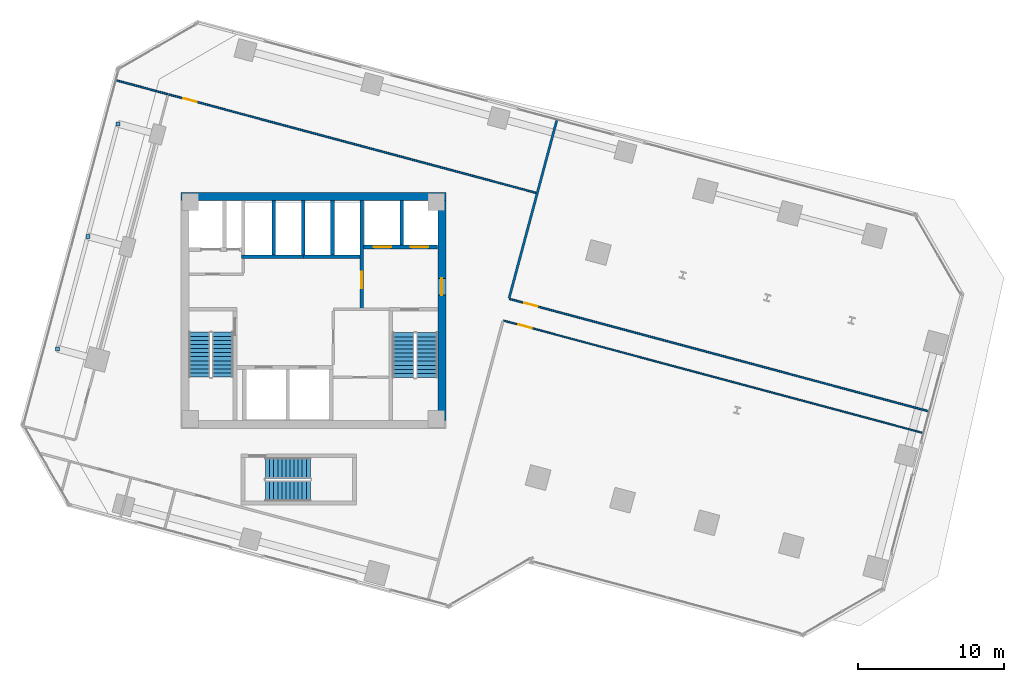
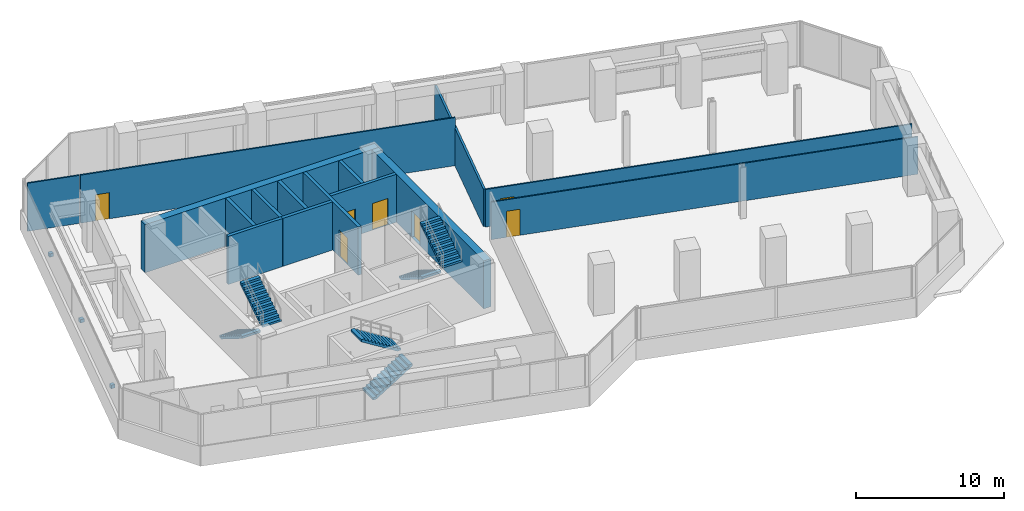
# One storey, part 21 of 26: 15 walls, 7 doors, 6 stair flights, 3 discrete accessories, 7 openings, 3 elements without a shape of their own.
"""IFC4 building model written with IfcOpenShell, lengths in metres."""

from ifc_helpers import new_model, si_unit, direction, frame, frame_2d, origin, origin_2d, place, context, subcontext, project, spatial, polyline, rectangle, outline, extrude, source, transform, mapped, material, layer, layer_set, type_object, element, fill, aggregate, save


model = new_model("IFC4")

# Units and contexts
model_context = context("Model", 3, precision=1e-05, world=origin(), true_north=direction((0.0, 1.0)))
body_context = subcontext(model_context, "Body", "Model", "MODEL_VIEW")
ifc_project = project(units=[si_unit("LENGTHUNIT", "METRE"), si_unit("AREAUNIT", "SQUARE_METRE"), si_unit("VOLUMEUNIT", "CUBIC_METRE"), si_unit("PLANEANGLEUNIT", "RADIAN"), si_unit("MASSUNIT", "GRAM", prefix="KILO")], contexts=[model_context])

# Site, building, storey
site_placement = place(None, origin())
site = spatial("IfcSite", under=ifc_project, at=site_placement, CompositionType="ELEMENT")
building_placement = place(site_placement, origin())
building = spatial("IfcBuilding", under=site, at=building_placement, Name="Torre Montelarca", CompositionType="ELEMENT")
storey_placement = place(building_placement, frame((0.0, 0.0, 100.0)))
storey = spatial("IfcBuildingStorey", under=building, at=storey_placement, Name="L22", CompositionType="ELEMENT", Elevation=100.0)

# Wall, opening, door
ifc_material_1 = material(Name="Concrete C40/50", Category="concrete")
ifc_layer_1 = layer(ifc_material_1, 0.25, Name="Concrete C40/50", Category="concrete")
ifc_layer_set_1 = layer_set([ifc_layer_1], Name="Concrete C40/50")
wall_type_1 = type_object("IfcWallType", Name="CW-SHAFT-250", PredefinedType="SHEAR", material=ifc_layer_set_1)
wall_1_placement = place(storey_placement, frame((21.320068359375, 32.1201171875, 0.0), z_axis=(0.0, 0.0, 1.0), x_axis=(0.0, 1.0, 0.0)))
wall_1 = element("IfcWall", 1, at=wall_1_placement, inside=storey, type_object=wall_type_1, Name="L22 Core Shear Wall SH-FFL-W", PredefinedType="SHEAR", context=body_context, shape_type="SweptSolid", body=[
    extrude(rectangle(XDim=7.419921875, YDim=0.25, at=frame_2d((3.7099609375, 0.0))), origin(), (0.0, 0.0, 1.0), 3.9599609375),
])
opening_1_placement = place(wall_1_placement, frame((1.39990234375, 0.0, 0.0)))
opening_1 = element("IfcOpeningElement", 2, at=opening_1_placement, cuts=wall_1, Name="Opening FD-LB1", PredefinedType="OPENING", context=body_context, shape_type="SweptSolid", body=[
    extrude(rectangle(XDim=1.14990234375, YDim=2.199951171875, at=frame_2d((0.574951171875, 1.10009765625))), frame((0.0, 0.135009765625, 0.0), z_axis=(0.0, -1.0, 0.0), x_axis=(1.0, 0.0, 0.0)), (0.0, 0.0, 1.0), 0.27001953125),
])
ifc_material_2 = material(Name="Acoustic timber-veneered fire door", Category="wood")
door_type_1 = type_object("IfcDoorType", Name="DR-LOBBY-115", OperationType="NOTDEFINED", PredefinedType="DOOR", material=ifc_material_2)
shared_shape_1 = source(origin(), body_context, "Body", "SweptSolid", [
    extrude(rectangle(XDim=1.14990234375, YDim=2.199951171875, at=frame_2d((0.574951171875, 1.10009765625))), frame((0.0, 0.02490234375, 0.0), z_axis=(0.0, -1.0, 0.0), x_axis=(1.0, 0.0, 0.0)), (0.0, 0.0, 1.0), 0.050048828125),
])
door_1_placement = place(opening_1_placement, origin())
door_1 = element("IfcDoor", 3, at=door_1_placement, inside=storey, type_object=door_type_1, Name="L22 Lift Lobby to Firefighting Lobby Smoke Door", OperationType="SINGLE_SWING_LEFT", OverallHeight=2.199951171875, OverallWidth=1.14990234375, PredefinedType="DOOR", context=body_context, shape_type="MappedRepresentation", body=[
    mapped(shared_shape_1, transform((0.0, 0.0, 0.0), scale=1.0)),
])
fill(opening_1, door_1)

# Wall, openings, doors
wall_2_placement = place(storey_placement, frame((21.449951171875, 36.35009765625, 0.0), z_axis=(0.0, 0.0, 1.0), x_axis=(1.0, 0.0, 0.0)))
wall_2 = element("IfcWall", 4, at=wall_2_placement, inside=storey, type_object=wall_type_1, Name="L22 Core Shear Wall SH-FF-S", PredefinedType="SHEAR", context=body_context, shape_type="SweptSolid", body=[
    extrude(rectangle(XDim=5.090087890625, YDim=0.25, at=frame_2d((2.544921875, 0.0))), origin(), (0.0, 0.0, 1.0), 3.9599609375),
])
opening_2_placement = place(wall_2_placement, frame((0.699951171875, 0.0, 0.0)))
opening_2 = element("IfcOpeningElement", 5, at=opening_2_placement, cuts=wall_2, Name="Opening LD-120", PredefinedType="OPENING", context=body_context, shape_type="SweptSolid", body=[
    extrude(rectangle(XDim=1.199951171875, YDim=2.199951171875, at=frame_2d((0.60009765625, 1.10009765625))), frame((0.0, 0.135009765625, 0.0), z_axis=(0.0, -1.0, 0.0), x_axis=(1.0, 0.0, 0.0)), (0.0, 0.0, 1.0), 0.27001953125),
])
opening_3_placement = place(wall_2_placement, frame((3.25, 0.0, 0.0)))
opening_3 = element("IfcOpeningElement", 6, at=opening_3_placement, cuts=wall_2, Name="Opening LD-120", PredefinedType="OPENING", context=body_context, shape_type="SweptSolid", body=[
    extrude(rectangle(XDim=1.199951171875, YDim=2.199951171875, at=frame_2d((0.60009765625, 1.10009765625))), frame((0.0, 0.135009765625, 0.0), z_axis=(0.0, -1.0, 0.0), x_axis=(1.0, 0.0, 0.0)), (0.0, 0.0, 1.0), 0.27001953125),
])
ifc_material_3 = material(Name="Brushed stainless steel AISI 316", Category="steel")
door_type_2 = type_object("IfcDoorType", Name="DR-LIFT-120", OperationType="SLIDING_TO_RIGHT", PredefinedType="DOOR", material=ifc_material_3)
shared_shape_2 = source(origin(), body_context, "Body", "SweptSolid", [
    extrude(rectangle(XDim=1.199951171875, YDim=2.199951171875, at=frame_2d((0.60009765625, 1.10009765625))), frame((0.0, 0.02490234375, 0.0), z_axis=(0.0, -1.0, 0.0), x_axis=(1.0, 0.0, 0.0)), (0.0, 0.0, 1.0), 0.050048828125),
])
door_2_placement = place(opening_2_placement, origin())
door_2 = element("IfcDoor", 7, at=door_2_placement, inside=storey, type_object=door_type_2, Name="L22 Lift Landing Sliding Door FF-1", OperationType="SLIDING_TO_LEFT", OverallHeight=2.199951171875, OverallWidth=1.199951171875, PredefinedType="DOOR", context=body_context, shape_type="MappedRepresentation", body=[
    mapped(shared_shape_2, transform((0.0, 0.0, 0.0), scale=1.0)),
])
fill(opening_2, door_2)
door_3_placement = place(opening_3_placement, origin())
door_3 = element("IfcDoor", 8, at=door_3_placement, inside=storey, type_object=door_type_2, Name="L22 Lift Landing Sliding Door FF-2", OperationType="SLIDING_TO_RIGHT", OverallHeight=2.199951171875, OverallWidth=1.199951171875, PredefinedType="DOOR", context=body_context, shape_type="MappedRepresentation", body=[
    mapped(shared_shape_2, transform((0.0, 0.0, 0.0), scale=1.0)),
])
fill(opening_3, door_3)

# Walls
wall_3_placement = place(storey_placement, frame((24.080078125, 36.47998046875, 0.0), z_axis=(0.0, 0.0, 1.0), x_axis=(0.0, 1.0, 0.0)))
element("IfcWall", 9, at=wall_3_placement, inside=storey, type_object=wall_type_1, Name="L22 Core Shear Wall SH-FF-M", PredefinedType="SHEAR", context=body_context, shape_type="SweptSolid", body=[
    extrude(rectangle(XDim=3.06005859375, YDim=0.25, at=frame_2d((1.530029296875, 0.0))), origin(), (0.0, 0.0, 1.0), 3.9599609375),
])
wall_4_placement = place(storey_placement, frame((13.06005859375, 35.679931640625, 0.0), z_axis=(0.0, 0.0, 1.0), x_axis=(1.0, 0.0, 0.0)))
element("IfcWall", 10, at=wall_4_placement, inside=storey, type_object=wall_type_1, Name="L22 Core Shear Wall SH-PLM-S", PredefinedType="SHEAR", context=body_context, shape_type="SweptSolid", body=[
    extrude(rectangle(XDim=4.25, YDim=0.25, at=frame_2d((2.125, 0.0))), origin(), (0.0, 0.0, 1.0), 3.9599609375),
])
wall_5_placement = place(storey_placement, frame((15.280029296875, 35.81005859375, 0.0), z_axis=(0.0, 0.0, 1.0), x_axis=(0.0, 1.0, 0.0)))
element("IfcWall", 11, at=wall_5_placement, inside=storey, type_object=wall_type_1, Name="L22 Core Shear Wall SH-PLM-M", PredefinedType="SHEAR", context=body_context, shape_type="SweptSolid", body=[
    extrude(rectangle(XDim=3.72998046875, YDim=0.25, at=frame_2d((1.864990234375, 0.0))), origin(), (0.0, 0.0, 1.0), 3.9599609375),
])
wall_6_placement = place(storey_placement, frame((17.320068359375, 35.679931640625, 0.0), z_axis=(0.0, 0.0, 1.0), x_axis=(1.0, 0.0, 0.0)))
element("IfcWall", 12, at=wall_6_placement, inside=storey, type_object=wall_type_1, Name="L22 Core Shear Wall SH-PLH-S", PredefinedType="SHEAR", context=body_context, shape_type="SweptSolid", body=[
    extrude(rectangle(XDim=3.869873046875, YDim=0.25, at=frame_2d((1.93505859375, 0.0))), origin(), (0.0, 0.0, 1.0), 3.9599609375),
])
for number, where, z_axis, x_axis, name in (
    (13, (17.320068359375, 35.81005859375, 0.0), (0.0, 0.0, 1.0), (0.0, 1.0, 0.0), "L22 Core Shear Wall SH-PLH-W"),
    (14, (19.320068359375, 35.81005859375, 0.0), (0.0, 0.0, 1.0), (0.0, 1.0, 0.0), "L22 Core Shear Wall SH-PLH-M"),
):
    element("IfcWall", number, at=place(storey_placement, frame(where, z_axis=z_axis, x_axis=x_axis)), inside=storey, type_object=wall_type_1, Name=name, PredefinedType="SHEAR", context=body_context, shape_type="SweptSolid", body=[
        extrude(rectangle(XDim=3.72998046875, YDim=0.25, at=frame_2d((1.864990234375, 0.0))), origin(), (0.0, 0.0, 1.0), 3.9599609375),
    ])

# Wall, opening, door
ifc_material_4 = material(Name="Concrete C70/85", Category="concrete")
ifc_layer_2 = layer(ifc_material_4, 0.550048828125, Name="Concrete C70/85", Category="concrete")
ifc_layer_set_2 = layer_set([ifc_layer_2], Name="Concrete C70/85")
wall_type_2 = type_object("IfcWallType", Name="CW-SHEAR-550", PredefinedType="SHEAR", material=ifc_layer_set_2)
wall_7_placement = place(storey_placement, frame((26.824951171875, 24.449951171875, 0.0), z_axis=(0.0, 0.0, 1.0), x_axis=(0.0, 1.0, 0.0)))
wall_7 = element("IfcWall", 15, at=wall_7_placement, inside=storey, type_object=wall_type_2, Name="L22 Core Shear Wall CW-E", PredefinedType="SHEAR", context=body_context, shape_type="SweptSolid", body=[
    extrude(rectangle(XDim=15.10009765625, YDim=0.550048828125, at=frame_2d((7.550048828125, 0.0))), origin(), (0.0, 0.0, 1.0), 3.9599609375),
])
opening_4_placement = place(wall_7_placement, frame((8.60009765625, 0.0, 0.0)))
opening_4 = element("IfcOpeningElement", 16, at=opening_4_placement, cuts=wall_7, Name="Opening FD-LB1", PredefinedType="OPENING", context=body_context, shape_type="SweptSolid", body=[
    extrude(rectangle(XDim=1.14990234375, YDim=2.199951171875, at=frame_2d((0.574951171875, 1.10009765625))), frame((0.0, 0.28515625, 0.0), z_axis=(0.0, -1.0, 0.0), x_axis=(1.0, 0.0, 0.0)), (0.0, 0.0, 1.0), 0.570068359375),
])
door_4_placement = place(opening_4_placement, origin())
door_4 = element("IfcDoor", 17, at=door_4_placement, inside=storey, type_object=door_type_1, Name="L22 Firefighting Lift Lobby Corridor Fire Door", OperationType="SINGLE_SWING_RIGHT", OverallHeight=2.199951171875, OverallWidth=1.14990234375, PredefinedType="DOOR", context=body_context, shape_type="MappedRepresentation", body=[
    mapped(shared_shape_1, transform((0.0, 0.0, 0.0), scale=1.0)),
])
fill(opening_4, door_4)

# Walls
wall_8_placement = place(storey_placement, frame((8.89990234375, 39.824951171875, 0.0), z_axis=(0.0, 0.0, 1.0), x_axis=(1.0, 0.0, 0.0)))
element("IfcWall", 18, at=wall_8_placement, inside=storey, type_object=wall_type_2, Name="L22 Core Shear Wall CW-N1", PredefinedType="SHEAR", context=body_context, shape_type="SweptSolid", body=[
    extrude(rectangle(XDim=18.2001953125, YDim=0.550048828125, at=frame_2d((9.10009765625, 0.0))), origin(), (0.0, 0.0, 1.0), 3.9599609375),
])
ifc_material_5 = material(Name="Gypsum plasterboard on steel stud", Category="steel")
ifc_layer_3 = layer(ifc_material_5, 0.159912109375, Name="Gypsum plasterboard on steel stud", Category="steel")
ifc_layer_set_3 = layer_set([ifc_layer_3], Name="Gypsum plasterboard on steel stud")
wall_type_3 = type_object("IfcWallType", Name="PW-FIRE-160", PredefinedType="PARTITIONING", material=ifc_layer_set_3)
wall_9_placement = place(storey_placement, frame((31.44482421875, 32.83447265625, 0.0), z_axis=(0.0, 0.0, 1.0), x_axis=(0.258816538161, 0.965926498018, 0.0)))
element("IfcWall", 19, at=wall_9_placement, inside=storey, type_object=wall_type_3, Name="L22 Interior Partition W-L22-ECN", PredefinedType="PARTITIONING", context=body_context, shape_type="SweptSolid", body=[
    extrude(rectangle(XDim=12.64013671875, YDim=0.159912109375, at=frame_2d((6.320068359375, 0.0))), origin(), (0.0, 0.0, 1.0), 3.094970703125),
])

# Wall, opening, door
ifc_material_6 = material(Name="Acoustic laminated glass partition", Category="glass")
ifc_layer_4 = layer(ifc_material_6, 0.10009765625, Name="Acoustic laminated glass partition", Category="glass")
ifc_layer_set_4 = layer_set([ifc_layer_4], Name="Acoustic laminated glass partition")
wall_type_4 = type_object("IfcWallType", Name="PW-GLAZ-100", PredefinedType="PARTITIONING", material=ifc_layer_set_4)
wall_10_placement = place(storey_placement, frame((31.074462890625, 31.298095703125, 0.0), z_axis=(0.0, 0.0, 1.0), x_axis=(0.96592643206, -0.258816784325, 0.0)))
wall_10 = element("IfcWall", 20, at=wall_10_placement, inside=storey, type_object=wall_type_4, Name="L22 Interior Partition W-L22-SE-N", PredefinedType="PARTITIONING", context=body_context, shape_type="SweptSolid", body=[
    extrude(rectangle(XDim=29.790283203125, YDim=0.10009765625, at=frame_2d((14.89501953125, 0.0))), origin(), (0.0, 0.0, 1.0), 3.094970703125),
])
opening_5_placement = place(wall_10_placement, frame((1.050048828125, 0.0, 0.0)))
opening_5 = element("IfcOpeningElement", 21, at=opening_5_placement, cuts=wall_10, Name="Opening ID-095", PredefinedType="OPENING", context=body_context, shape_type="SweptSolid", body=[
    extrude(rectangle(XDim=0.949951171875, YDim=2.14990234375, at=frame_2d((0.47509765625, 1.074951171875))), frame((0.0, 0.06005859375, 0.0), z_axis=(0.0, -1.0, 0.0), x_axis=(1.0, 0.0, 0.0)), (0.0, 0.0, 1.0), 0.1201171875),
])
ifc_material_7 = material(Name="Hardwood acoustic timber veneer", Category="wood")
door_type_3 = type_object("IfcDoorType", Name="DR-INT-095", OperationType="NOTDEFINED", PredefinedType="DOOR", material=ifc_material_7)
shared_shape_3 = source(origin(), body_context, "Body", "SweptSolid", [
    extrude(rectangle(XDim=0.949951171875, YDim=2.14990234375, at=frame_2d((0.47509765625, 1.074951171875))), frame((0.0, 0.02490234375, 0.0), z_axis=(0.0, -1.0, 0.0), x_axis=(1.0, 0.0, 0.0)), (0.0, 0.0, 1.0), 0.050048828125),
])
door_5_placement = place(opening_5_placement, origin())
door_5 = element("IfcDoor", 22, at=door_5_placement, inside=storey, type_object=door_type_3, Name="L22 Interior Door 10", OperationType="SINGLE_SWING_LEFT", OverallHeight=2.14990234375, OverallWidth=0.949951171875, PredefinedType="DOOR", context=body_context, shape_type="MappedRepresentation", body=[
    mapped(shared_shape_3, transform((0.0, 0.0, 0.0), scale=1.0)),
])
fill(opening_5, door_5)

ifc_layer_5 = layer(ifc_material_5, 0.114990234375, Name="Gypsum plasterboard on steel stud", Category="steel")
ifc_layer_set_5 = layer_set([ifc_layer_5], Name="Gypsum plasterboard on steel stud")
wall_type_5 = type_object("IfcWallType", Name="PW-PART-115", PredefinedType="PARTITIONING", material=ifc_layer_set_5)
wall_11_placement = place(storey_placement, frame((8.07080078125, 46.8310546875, 0.0), z_axis=(0.0, 0.0, 1.0), x_axis=(0.965925848141, -0.258818963551, 0.0)))
wall_11 = element("IfcWall", 23, at=wall_11_placement, inside=storey, type_object=wall_type_5, Name="L22 Interior Partition W-L22-NBOT", PredefinedType="PARTITIONING", context=body_context, shape_type="SweptSolid", body=[
    extrude(rectangle(XDim=26.16015625, YDim=0.114990234375, at=frame_2d((13.080078125, 0.0))), origin(), (0.0, 0.0, 1.0), 3.9599609375),
])
opening_6_placement = place(wall_11_placement, frame((1.050048828125, 0.0, 0.0)))
opening_6 = element("IfcOpeningElement", 24, at=opening_6_placement, cuts=wall_11, Name="Opening ID-095", PredefinedType="OPENING", context=body_context, shape_type="SweptSolid", body=[
    extrude(rectangle(XDim=0.949951171875, YDim=2.14990234375, at=frame_2d((0.47509765625, 1.074951171875))), frame((0.0, 0.0673828125, 0.0), z_axis=(0.0, -1.0, 0.0), x_axis=(1.0, 0.0, 0.0)), (0.0, 0.0, 1.0), 0.135009765625),
])
door_6_placement = place(opening_6_placement, origin())
door_6 = element("IfcDoor", 25, at=door_6_placement, inside=storey, type_object=door_type_3, Name="L22 Interior Door 07", OperationType="SINGLE_SWING_LEFT", OverallHeight=2.14990234375, OverallWidth=0.949951171875, PredefinedType="DOOR", context=body_context, shape_type="MappedRepresentation", body=[
    mapped(shared_shape_3, transform((0.0, 0.0, 0.0), scale=1.0)),
])
fill(opening_6, door_6)

# Wall
wall_12_placement = place(storey_placement, frame((4.4873046875, 47.791259765625, 0.0), z_axis=(0.0, 0.0, 1.0), x_axis=(0.965930639999, -0.258801079426, 0.0)))
element("IfcWall", 26, at=wall_12_placement, inside=storey, type_object=wall_type_5, Name="L22 Interior Partition W-L22-WWGN", PredefinedType="PARTITIONING", context=body_context, shape_type="SweptSolid", body=[
    extrude(rectangle(XDim=3.630126953125, YDim=0.114990234375, at=frame_2d((1.81494140625, 0.0))), origin(), (0.0, 0.0, 1.0), 3.9599609375),
])

# Wall, opening, door
wall_13_placement = place(storey_placement, frame((31.47314453125, 32.785400390625, 0.0), z_axis=(0.0, 0.0, 1.0), x_axis=(0.965927931901, -0.258811186722, 0.0)))
wall_13 = element("IfcWall", 27, at=wall_13_placement, inside=storey, type_object=wall_type_5, Name="L22 Interior Partition W-L22-NE-S", PredefinedType="PARTITIONING", context=body_context, shape_type="SweptSolid", body=[
    extrude(rectangle(XDim=29.789794921875, YDim=0.114990234375, at=frame_2d((14.89501953125, 0.0))), origin(), (0.0, 0.0, 1.0), 3.094970703125),
])
opening_7_placement = place(wall_13_placement, frame((1.050048828125, 0.0, 0.0)))
opening_7 = element("IfcOpeningElement", 28, at=opening_7_placement, cuts=wall_13, Name="Opening ID-095", PredefinedType="OPENING", context=body_context, shape_type="SweptSolid", body=[
    extrude(rectangle(XDim=0.949951171875, YDim=2.14990234375, at=frame_2d((0.47509765625, 1.074951171875))), frame((0.0, 0.0673828125, 0.0), z_axis=(0.0, -1.0, 0.0), x_axis=(1.0, 0.0, 0.0)), (0.0, 0.0, 1.0), 0.135009765625),
])
door_7_placement = place(opening_7_placement, origin())
door_7 = element("IfcDoor", 29, at=door_7_placement, inside=storey, type_object=door_type_3, Name="L22 Interior Door 09", OperationType="SINGLE_SWING_LEFT", OverallHeight=2.14990234375, OverallWidth=0.949951171875, PredefinedType="DOOR", context=body_context, shape_type="MappedRepresentation", body=[
    mapped(shared_shape_3, transform((0.0, 0.0, 0.0), scale=1.0)),
])
fill(opening_7, door_7)

# Stair, stair flights
stair_type_1 = type_object("IfcStairType", Name="ST-CORE-ST1", PredefinedType="HALF_TURN_STAIR", material=ifc_material_1)
stair_1_placement = place(storey_placement, origin())
stair_1 = element("IfcStair", 30, at=stair_1_placement, inside=storey, type_object=stair_type_1, Name="L22 Protected Exit Stair ST1", PredefinedType="HALF_TURN_STAIR")
stair_flight_type_1 = type_object("IfcStairFlightType", Name="SFL-CORE-ST1", PredefinedType="STRAIGHT", material=ifc_material_1)
stair_flight_1_placement = place(storey_placement, frame((10.175048828125, 30.5, 0.0), z_axis=(0.0, 0.0, 1.0), x_axis=(0.0, -1.0, 0.0)))
stair_flight_1 = element("IfcStairFlight", 31, at=stair_flight_1_placement, type_object=stair_flight_type_1, Name="ST1 flight 1", NumberOfRisers=12, NumberOfTreads=11, PredefinedType="STRAIGHT", RiserHeight=0.175, TreadLength=0.28, context=body_context, shape_type="SweptSolid", body=[
    extrude(outline(polyline([(0.0, 0.0), (0.0, 0.175048828125), (0.280029296875, 0.175048828125), (0.280029296875, 0.35009765625), (0.56005859375, 0.35009765625), (0.56005859375, 0.52490234375), (0.840087890625, 0.52490234375), (0.840087890625, 0.699951171875), (1.1201171875, 0.699951171875), (1.1201171875, 0.875), (1.39990234375, 0.875), (1.39990234375, 1.050048828125), (1.679931640625, 1.050048828125), (1.679931640625, 1.22509765625), (1.9599609375, 1.22509765625), (1.9599609375, 1.39990234375), (2.239990234375, 1.39990234375), (2.239990234375, 1.574951171875), (2.52001953125, 1.574951171875), (2.52001953125, 1.75), (2.800048828125, 1.75), (2.800048828125, 1.925048828125), (3.080078125, 1.925048828125), (3.080078125, 2.10009765625), (3.080078125, 1.748291015625), (0.28271484375, 0.0), (0.0, 0.0)])), frame((0.0, 0.72509765625, 0.0), z_axis=(0.0, -1.0, 0.0), x_axis=(1.0, 0.0, 0.0)), (0.0, 0.0, 1.0), 1.449951171875),
])
stair_flight_2_placement = place(storey_placement, frame((11.77490234375, 27.419921875, 2.10009765625), z_axis=(0.0, 0.0, 1.0), x_axis=(0.0, 1.0, 0.0)))
stair_flight_2 = element("IfcStairFlight", 32, at=stair_flight_2_placement, type_object=stair_flight_type_1, Name="ST1 flight 2", NumberOfRisers=12, NumberOfTreads=11, PredefinedType="STRAIGHT", RiserHeight=0.175, TreadLength=0.28, context=body_context, shape_type="SweptSolid", body=[
    extrude(outline(polyline([(0.0, 0.0), (0.0, 0.175048828125), (0.280029296875, 0.175048828125), (0.280029296875, 0.35009765625), (0.56005859375, 0.35009765625), (0.56005859375, 0.52490234375), (0.840087890625, 0.52490234375), (0.840087890625, 0.699951171875), (1.1201171875, 0.699951171875), (1.1201171875, 0.875), (1.39990234375, 0.875), (1.39990234375, 1.050048828125), (1.679931640625, 1.050048828125), (1.679931640625, 1.22509765625), (1.9599609375, 1.22509765625), (1.9599609375, 1.39990234375), (2.239990234375, 1.39990234375), (2.239990234375, 1.574951171875), (2.52001953125, 1.574951171875), (2.52001953125, 1.75), (2.800048828125, 1.75), (2.800048828125, 1.925048828125), (3.080078125, 1.925048828125), (3.080078125, 2.10009765625), (3.080078125, 1.748291015625), (0.28271484375, 0.0), (0.0, 0.0)])), frame((0.0, 0.72509765625, 0.0), z_axis=(0.0, -1.0, 0.0), x_axis=(1.0, 0.0, 0.0)), (0.0, 0.0, 1.0), 1.449951171875),
])
aggregate(stair_1, [stair_flight_1, stair_flight_2])

stair_type_2 = type_object("IfcStairType", Name="ST-CORE-ST2", PredefinedType="HALF_TURN_STAIR", material=ifc_material_1)
stair_2_placement = place(storey_placement, origin())
stair_2 = element("IfcStair", 33, at=stair_2_placement, inside=storey, type_object=stair_type_2, Name="L22 Protected Exit Stair ST2", PredefinedType="HALF_TURN_STAIR")
stair_flight_type_2 = type_object("IfcStairFlightType", Name="SFL-CORE-ST2", PredefinedType="STRAIGHT", material=ifc_material_1)
stair_flight_3_placement = place(storey_placement, frame((24.179931640625, 30.469970703125, 0.0), z_axis=(0.0, 0.0, 1.0), x_axis=(0.0, -1.0, 0.0)))
stair_flight_3 = element("IfcStairFlight", 34, at=stair_flight_3_placement, type_object=stair_flight_type_2, Name="ST2 flight 1", NumberOfRisers=12, NumberOfTreads=11, PredefinedType="STRAIGHT", RiserHeight=0.175, TreadLength=0.28, context=body_context, shape_type="SweptSolid", body=[
    extrude(outline(polyline([(0.0, 0.0), (0.0, 0.175048828125), (0.280029296875, 0.175048828125), (0.280029296875, 0.35009765625), (0.56005859375, 0.35009765625), (0.56005859375, 0.52490234375), (0.840087890625, 0.52490234375), (0.840087890625, 0.699951171875), (1.1201171875, 0.699951171875), (1.1201171875, 0.875), (1.39990234375, 0.875), (1.39990234375, 1.050048828125), (1.679931640625, 1.050048828125), (1.679931640625, 1.22509765625), (1.9599609375, 1.22509765625), (1.9599609375, 1.39990234375), (2.239990234375, 1.39990234375), (2.239990234375, 1.574951171875), (2.52001953125, 1.574951171875), (2.52001953125, 1.75), (2.800048828125, 1.75), (2.800048828125, 1.925048828125), (3.080078125, 1.925048828125), (3.080078125, 2.10009765625), (3.080078125, 1.748291015625), (0.28271484375, 0.0), (0.0, 0.0)])), frame((0.0, 0.739990234375, 0.0), z_axis=(0.0, -1.0, 0.0), x_axis=(1.0, 0.0, 0.0)), (0.0, 0.0, 1.0), 1.47998046875),
])
stair_flight_4_placement = place(storey_placement, frame((25.81005859375, 27.389892578125, 2.10009765625), z_axis=(0.0, 0.0, 1.0), x_axis=(0.0, 1.0, 0.0)))
stair_flight_4 = element("IfcStairFlight", 35, at=stair_flight_4_placement, type_object=stair_flight_type_2, Name="ST2 flight 2", NumberOfRisers=12, NumberOfTreads=11, PredefinedType="STRAIGHT", RiserHeight=0.175, TreadLength=0.28, context=body_context, shape_type="SweptSolid", body=[
    extrude(outline(polyline([(0.0, 0.0), (0.0, 0.175048828125), (0.280029296875, 0.175048828125), (0.280029296875, 0.35009765625), (0.56005859375, 0.35009765625), (0.56005859375, 0.52490234375), (0.840087890625, 0.52490234375), (0.840087890625, 0.699951171875), (1.1201171875, 0.699951171875), (1.1201171875, 0.875), (1.39990234375, 0.875), (1.39990234375, 1.050048828125), (1.679931640625, 1.050048828125), (1.679931640625, 1.22509765625), (1.9599609375, 1.22509765625), (1.9599609375, 1.39990234375), (2.239990234375, 1.39990234375), (2.239990234375, 1.574951171875), (2.52001953125, 1.574951171875), (2.52001953125, 1.75), (2.800048828125, 1.75), (2.800048828125, 1.925048828125), (3.080078125, 1.925048828125), (3.080078125, 2.10009765625), (3.080078125, 1.748291015625), (0.28271484375, 0.0), (0.0, 0.0)])), frame((0.0, 0.739990234375, 0.0), z_axis=(0.0, -1.0, 0.0), x_axis=(1.0, 0.0, 0.0)), (0.0, 0.0, 1.0), 1.47998046875),
])
aggregate(stair_2, [stair_flight_3, stair_flight_4])

stair_type_3 = type_object("IfcStairType", Name="ST-CORE-ST3", PredefinedType="HALF_TURN_STAIR", material=ifc_material_1)
stair_3_placement = place(storey_placement, origin())
stair_3 = element("IfcStair", 36, at=stair_3_placement, inside=storey, type_object=stair_type_3, Name="L22 Low-Rise Exit Stair ST3", PredefinedType="HALF_TURN_STAIR")
stair_flight_type_3 = type_object("IfcStairFlightType", Name="SFL-CORE-ST3", PredefinedType="STRAIGHT", material=ifc_material_1)
stair_flight_5_placement = place(storey_placement, frame((14.719970703125, 19.610107421875, 0.0), z_axis=(0.0, 0.0, 1.0), x_axis=(1.0, 0.0, 0.0)))
stair_flight_5 = element("IfcStairFlight", 37, at=stair_flight_5_placement, type_object=stair_flight_type_3, Name="ST3 flight 1", NumberOfRisers=12, NumberOfTreads=11, PredefinedType="STRAIGHT", RiserHeight=0.175, TreadLength=0.28, context=body_context, shape_type="SweptSolid", body=[
    extrude(outline(polyline([(0.0, 0.0), (0.0, 0.175048828125), (0.280029296875, 0.175048828125), (0.280029296875, 0.35009765625), (0.56005859375, 0.35009765625), (0.56005859375, 0.52490234375), (0.840087890625, 0.52490234375), (0.840087890625, 0.699951171875), (1.1201171875, 0.699951171875), (1.1201171875, 0.875), (1.39990234375, 0.875), (1.39990234375, 1.050048828125), (1.679931640625, 1.050048828125), (1.679931640625, 1.22509765625), (1.9599609375, 1.22509765625), (1.9599609375, 1.39990234375), (2.239990234375, 1.39990234375), (2.239990234375, 1.574951171875), (2.52001953125, 1.574951171875), (2.52001953125, 1.75), (2.800048828125, 1.75), (2.800048828125, 1.925048828125), (3.080078125, 1.925048828125), (3.080078125, 2.10009765625), (3.080078125, 1.748291015625), (0.28271484375, 0.0), (0.0, 0.0)])), frame((0.0, 0.7099609375, 0.0), z_axis=(0.0, -1.0, 0.0), x_axis=(1.0, 0.0, 0.0)), (0.0, 0.0, 1.0), 1.419921875),
])
stair_flight_6_placement = place(storey_placement, frame((17.800048828125, 21.179931640625, 2.10009765625), z_axis=(0.0, 0.0, 1.0), x_axis=(-1.0, 0.0, 0.0)))
stair_flight_6 = element("IfcStairFlight", 38, at=stair_flight_6_placement, type_object=stair_flight_type_3, Name="ST3 flight 2", NumberOfRisers=12, NumberOfTreads=11, PredefinedType="STRAIGHT", RiserHeight=0.175, TreadLength=0.28, context=body_context, shape_type="SweptSolid", body=[
    extrude(outline(polyline([(0.0, 0.0), (0.0, 0.175048828125), (0.280029296875, 0.175048828125), (0.280029296875, 0.35009765625), (0.56005859375, 0.35009765625), (0.56005859375, 0.52490234375), (0.840087890625, 0.52490234375), (0.840087890625, 0.699951171875), (1.1201171875, 0.699951171875), (1.1201171875, 0.875), (1.39990234375, 0.875), (1.39990234375, 1.050048828125), (1.679931640625, 1.050048828125), (1.679931640625, 1.22509765625), (1.9599609375, 1.22509765625), (1.9599609375, 1.39990234375), (2.239990234375, 1.39990234375), (2.239990234375, 1.574951171875), (2.52001953125, 1.574951171875), (2.52001953125, 1.75), (2.800048828125, 1.75), (2.800048828125, 1.925048828125), (3.080078125, 1.925048828125), (3.080078125, 2.10009765625), (3.080078125, 1.748291015625), (0.28271484375, 0.0), (0.0, 0.0)])), frame((0.0, 0.7099609375, 0.0), z_axis=(0.0, -1.0, 0.0), x_axis=(1.0, 0.0, 0.0)), (0.0, 0.0, 1.0), 1.419921875),
])
aggregate(stair_3, [stair_flight_5, stair_flight_6])

# Discrete accessories
ifc_material_8 = material(Name="Stainless steel AISI 316", Category="steel")
discrete_accessory_type = type_object("IfcDiscreteAccessoryType", Name="ACC-BRACKET-SS", PredefinedType="BRACKET", material=ifc_material_8)
shared_shape_4 = source(origin(), body_context, "Body", "SweptSolid", [
    extrude(rectangle(XDim=0.280029296875, YDim=0.280029296875, at=origin_2d()), origin(), (0.0, 0.0, 1.0), 0.280029296875),
])
for number, where, z_axis, x_axis, name in (
    (39, (0.448974609375, 29.3583984375, -0.27978515625), (0.0, 0.0, 1.0), (1.0, 0.0, 0.0), "L22 Raker End Connection Bracket W1-HD"),
    (40, (2.51953125, 37.085693359375, -0.27978515625), (0.0, 0.0, 1.0), (1.0, 0.0, 0.0), "L22 Raker End Connection Bracket W2-HD"),
    (41, (4.590087890625, 44.813232421875, -0.27978515625), (0.0, 0.0, 1.0), (1.0, 0.0, 0.0), "L22 Raker End Connection Bracket W3-HD"),
):
    element("IfcDiscreteAccessory", number, at=place(storey_placement, frame(where, z_axis=z_axis, x_axis=x_axis)), inside=storey, type_object=discrete_accessory_type, Name=name, PredefinedType="BRACKET", context=body_context, shape_type="MappedRepresentation", body=[
        mapped(shared_shape_4, transform((0.0, 0.0, 0.0), scale=1.0)),
    ])

save(model, "model.ifc")
